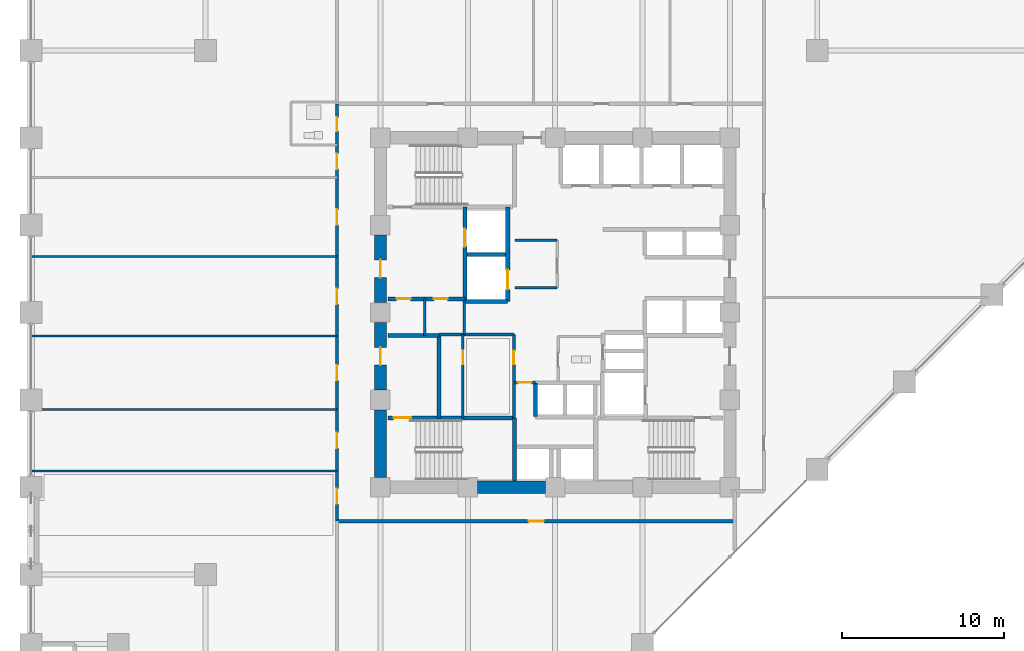
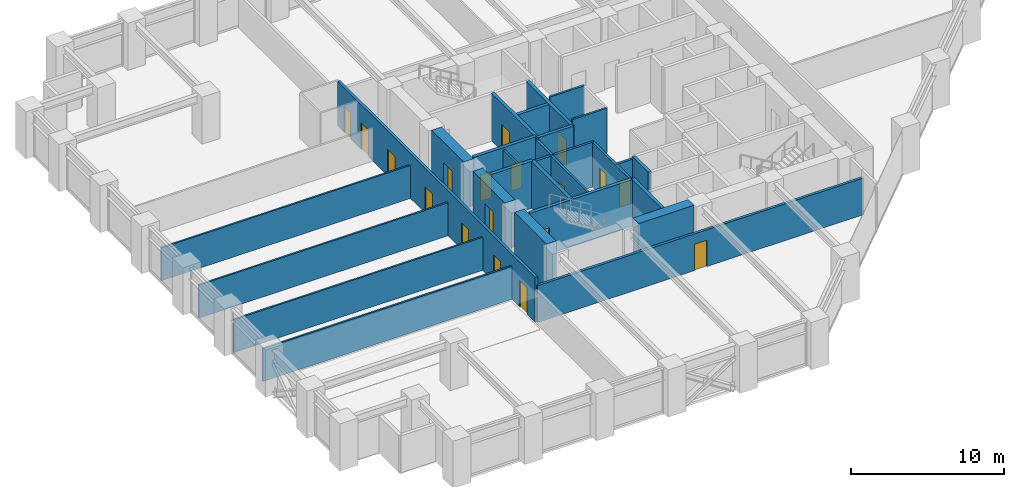
# One storey, part 20 of 25: 28 walls, 18 doors, 18 openings.
"""IFC4 building model written with IfcOpenShell, lengths in metres."""

from ifc_helpers import new_model, si_unit, direction, frame, frame_2d, origin, place, context, subcontext, project, spatial, rectangle, extrude, material, layer, layer_set, type_object, element, fill, save


model = new_model("IFC4")

# Units and contexts
model_context = context("Model", 3, precision=1e-05, world=origin(), true_north=direction((0.0, 1.0)))
body_context = subcontext(model_context, "Body", "Model", "MODEL_VIEW")
ifc_project = project(units=[si_unit("LENGTHUNIT", "METRE"), si_unit("AREAUNIT", "SQUARE_METRE"), si_unit("VOLUMEUNIT", "CUBIC_METRE"), si_unit("PLANEANGLEUNIT", "RADIAN"), si_unit("MASSUNIT", "GRAM", prefix="KILO")], contexts=[model_context])

# Site, building, storey
site_placement = place(None, origin())
site = spatial("IfcSite", under=ifc_project, at=site_placement, CompositionType="ELEMENT")
building_placement = place(site_placement, origin())
building = spatial("IfcBuilding", under=site, at=building_placement, Name="Surkhivell Harbour Commons", CompositionType="ELEMENT")
storey_placement = place(building_placement, frame((0.0, 0.0, 37.5)))
storey = spatial("IfcBuildingStorey", under=building, at=storey_placement, Name="L09", CompositionType="ELEMENT", Elevation=37.5)

# Walls
ifc_material_1 = material(Name="Concrete C60/75", Category="concrete")
ifc_layer_1 = layer(ifc_material_1, 0.75)
ifc_layer_set_1 = layer_set([ifc_layer_1], Name="Concrete C60/75")
wall_type_1 = type_object("IfcWallType", Name="WAL-CORE-750", PredefinedType="SHEAR", material=ifc_layer_set_1)
for number, where, z_axis, x_axis, name in (
    (1, (-10.800048828125, -10.18994140625, 0.0), (0.0, 0.0, 1.0), (0.0, 1.0, 0.0), "L09 Core Shear Wall West 1"),
    (2, (-4.7900390625, -10.800048828125, 0.0), (0.0, 0.0, 1.0), (1.0, 0.0, 0.0), "L09 Core Shear Wall South 2"),
):
    element("IfcWall", number, at=place(storey_placement, frame(where, z_axis=z_axis, x_axis=x_axis)), inside=storey, type_object=wall_type_1, Name=name, PredefinedType="SHEAR", context=body_context, shape_type="SweptSolid", body=[
        extrude(rectangle(XDim=4.179931640625, YDim=0.75, at=frame_2d((2.08984375, 0.0))), origin(), (0.0, 0.0, 1.0), 3.75),
    ])

# Wall, opening, door
wall_1_placement = place(storey_placement, frame((-10.800048828125, -4.7900390625, 0.0), z_axis=(0.0, 0.0, 1.0), x_axis=(0.0, 1.0, 0.0)))
wall_1 = element("IfcWall", 3, at=wall_1_placement, inside=storey, type_object=wall_type_1, Name="L09 Core Shear Wall West 2", PredefinedType="SHEAR", context=body_context, shape_type="SweptSolid", body=[
    extrude(rectangle(XDim=4.179931640625, YDim=0.75, at=frame_2d((2.08984375, 0.0))), origin(), (0.0, 0.0, 1.0), 3.75),
])
opening_1_placement = place(wall_1_placement, frame((1.5400390625, 0.0, 0.0)))
opening_1 = element("IfcOpeningElement", 4, at=opening_1_placement, cuts=wall_1, Name="Opening ID-2", PredefinedType="OPENING", context=body_context, shape_type="SweptSolid", body=[
    extrude(rectangle(XDim=1.10009765625, YDim=2.10009765625, at=frame_2d((0.550048828125, 1.050048828125))), frame((0.0, 0.385009765625, 0.0), z_axis=(0.0, -1.0, 0.0), x_axis=(1.0, 0.0, 0.0)), (0.0, 0.0, 1.0), 0.77001953125),
])
ifc_material_2 = material(Name="Hardwood-veneered fire-rated door leaf", Category="wood")
door_type_1 = type_object("IfcDoorType", Name="DOR-FD60-1100", OperationType="NOTDEFINED", PredefinedType="DOOR", material=ifc_material_2)
door_1_placement = place(opening_1_placement, origin())
door_1 = element("IfcDoor", 5, at=door_1_placement, inside=storey, type_object=door_type_1, Name="L09 Stair 3 Lobby Corridor Door", OperationType="SINGLE_SWING_LEFT", OverallHeight=2.10009765625, OverallWidth=1.10009765625, PredefinedType="DOOR", context=body_context, shape_type="SweptSolid", body=[
    extrude(rectangle(XDim=1.10009765625, YDim=2.10009765625, at=frame_2d((0.550048828125, 1.050048828125))), frame((0.0, 0.02490234375, 0.0), z_axis=(0.0, -1.0, 0.0), x_axis=(1.0, 0.0, 0.0)), (0.0, 0.0, 1.0), 0.050048828125),
])
fill(opening_1, door_1)

wall_2_placement = place(storey_placement, frame((-10.800048828125, 0.610107421875, 0.0), z_axis=(0.0, 0.0, 1.0), x_axis=(0.0, 1.0, 0.0)))
wall_2 = element("IfcWall", 6, at=wall_2_placement, inside=storey, type_object=wall_type_1, Name="L09 Core Shear Wall West 3", PredefinedType="SHEAR", context=body_context, shape_type="SweptSolid", body=[
    extrude(rectangle(XDim=4.179931640625, YDim=0.75, at=frame_2d((2.08984375, 0.0))), origin(), (0.0, 0.0, 1.0), 3.75),
])
opening_2_placement = place(wall_2_placement, frame((1.5400390625, 0.0, 0.0)))
opening_2 = element("IfcOpeningElement", 7, at=opening_2_placement, cuts=wall_2, Name="Opening ID-1", PredefinedType="OPENING", context=body_context, shape_type="SweptSolid", body=[
    extrude(rectangle(XDim=1.10009765625, YDim=2.10009765625, at=frame_2d((0.550048828125, 1.050048828125))), frame((0.0, 0.385009765625, 0.0), z_axis=(0.0, -1.0, 0.0), x_axis=(1.0, 0.0, 0.0)), (0.0, 0.0, 1.0), 0.77001953125),
])
door_type_2 = type_object("IfcDoorType", Name="DOR-FD120-1100", OperationType="NOTDEFINED", PredefinedType="DOOR", material=ifc_material_2)
door_2_placement = place(opening_2_placement, origin())
door_2 = element("IfcDoor", 8, at=door_2_placement, inside=storey, type_object=door_type_2, Name="L09 Firefighting Lobby 1 Corridor Door", OperationType="SINGLE_SWING_LEFT", OverallHeight=2.10009765625, OverallWidth=1.10009765625, PredefinedType="DOOR", context=body_context, shape_type="SweptSolid", body=[
    extrude(rectangle(XDim=1.10009765625, YDim=2.10009765625, at=frame_2d((0.550048828125, 1.050048828125))), frame((0.0, 0.02490234375, 0.0), z_axis=(0.0, -1.0, 0.0), x_axis=(1.0, 0.0, 0.0)), (0.0, 0.0, 1.0), 0.050048828125),
])
fill(opening_2, door_2)

# Walls
ifc_material_3 = material(Name="Moisture-resistant acoustic stud partition", Category="other")
ifc_layer_2 = layer(ifc_material_3, 0.125)
ifc_layer_set_2 = layer_set([ifc_layer_2], Name="Moisture-resistant acoustic stud partition")
wall_type_2 = type_object("IfcWallType", Name="WAL-INT-125", PredefinedType="PARTITIONING", material=ifc_layer_set_2)
for number, where, z_axis, x_axis, name in (
    (9, (-32.340087890625, -5.989990234375, 0.0), (0.0, 0.0, 1.0), (1.0, 0.0, 0.0), "L09 West Partition BDP1"),
    (10, (-32.340087890625, -1.449951171875, 0.0), (0.0, 0.0, 1.0), (1.0, 0.0, 0.0), "L09 West Partition BDP2"),
    (11, (-32.340087890625, 3.449951171875, 0.0), (0.0, 0.0, 1.0), (1.0, 0.0, 0.0), "L09 West Partition BDP3"),
    (12, (-32.340087890625, -9.800048828125, 0.0), (0.0, 0.0, 1.0), (1.0, 0.0, 0.0), "L09 West Partition PBOT"),
):
    element("IfcWall", number, at=place(storey_placement, frame(where, z_axis=z_axis, x_axis=x_axis)), inside=storey, type_object=wall_type_2, Name=name, PredefinedType="PARTITIONING", context=body_context, shape_type="SweptSolid", body=[
        extrude(rectangle(XDim=18.860107421875, YDim=0.125, at=frame_2d((9.43017578125, 0.0))), origin(), (0.0, 0.0, 1.0), 2.62890625),
    ])

# Wall, opening, door
ifc_material_4 = material(Name="Twin-stud acoustic fireboard partition", Category="other")
ifc_layer_3 = layer(ifc_material_4, 0.14990234375)
ifc_layer_set_3 = layer_set([ifc_layer_3], Name="Twin-stud acoustic fireboard partition")
wall_type_3 = type_object("IfcWallType", Name="WAL-INT-150", PredefinedType="PARTITIONING", material=ifc_layer_set_3)
wall_3_placement = place(storey_placement, frame((-5.699951171875, -6.510009765625, 0.0), z_axis=(0.0, 0.0, 1.0), x_axis=(0.0, 1.0, 0.0)))
wall_3 = element("IfcWall", 13, at=wall_3_placement, inside=storey, type_object=wall_type_3, Name="L09 Core Cut B Partition", PredefinedType="PARTITIONING", context=body_context, shape_type="SweptSolid", body=[
    extrude(rectangle(XDim=5.159912109375, YDim=0.14990234375, at=frame_2d((2.580078125, 0.0))), origin(), (0.0, 0.0, 1.0), 3.570068359375),
])
opening_3_placement = place(wall_3_placement, frame((3.300048828125, 0.0, 0.0)))
opening_3 = element("IfcOpeningElement", 14, at=opening_3_placement, cuts=wall_3, Name="Opening ID-6", PredefinedType="OPENING", context=body_context, shape_type="SweptSolid", body=[
    extrude(rectangle(XDim=0.85009765625, YDim=2.10009765625, at=frame_2d((0.425048828125, 1.050048828125))), frame((0.0, 0.0849609375, 0.0), z_axis=(0.0, -1.0, 0.0), x_axis=(1.0, 0.0, 0.0)), (0.0, 0.0, 1.0), 0.169921875),
])
door_type_3 = type_object("IfcDoorType", Name="DOR-FD30-850", OperationType="NOTDEFINED", PredefinedType="DOOR", material=ifc_material_2)
door_3_placement = place(opening_3_placement, origin())
door_3 = element("IfcDoor", 15, at=door_3_placement, inside=storey, type_object=door_type_3, Name="L09 Core Focus Study Door", OperationType="SINGLE_SWING_RIGHT", OverallHeight=2.10009765625, OverallWidth=0.85009765625, PredefinedType="DOOR", context=body_context, shape_type="SweptSolid", body=[
    extrude(rectangle(XDim=0.85009765625, YDim=2.10009765625, at=frame_2d((0.425048828125, 1.050048828125))), frame((0.0, 0.02490234375, 0.0), z_axis=(0.0, -1.0, 0.0), x_axis=(1.0, 0.0, 0.0)), (0.0, 0.0, 1.0), 0.050048828125),
])
fill(opening_3, door_3)

# Walls
wall_4_placement = place(storey_placement, frame((-8.050048828125, -1.419921875, 0.0), z_axis=(0.0, 0.0, 1.0), x_axis=(0.0, 1.0, 0.0)))
element("IfcWall", 16, at=wall_4_placement, inside=storey, type_object=wall_type_3, Name="L09 West Seminar Booth Divider", PredefinedType="PARTITIONING", context=body_context, shape_type="SweptSolid", body=[
    extrude(rectangle(XDim=2.27001953125, YDim=0.14990234375, at=frame_2d((1.135009765625, 0.0))), origin(), (0.0, 0.0, 1.0), 3.570068359375),
])
for number, where, z_axis, x_axis, name in (
    (17, (-2.47998046875, 4.47998046875, 0.0), (0.0, 0.0, 1.0), (1.0, 0.0, 0.0), "L09 Central Reading North Wall"),
    (18, (-2.47998046875, 1.52001953125, 0.0), (0.0, 0.0, 1.0), (1.0, 0.0, 0.0), "L09 Central Reading South Wall"),
):
    element("IfcWall", number, at=place(storey_placement, frame(where, z_axis=z_axis, x_axis=x_axis)), inside=storey, type_object=wall_type_3, Name=name, PredefinedType="PARTITIONING", context=body_context, shape_type="SweptSolid", body=[
        extrude(rectangle(XDim=2.60009765625, YDim=0.14990234375, at=frame_2d((1.300048828125, 0.0))), origin(), (0.0, 0.0, 1.0), 3.570068359375),
    ])

# Wall, opening, door
ifc_material_5 = material(Name="High-density acoustic blockwork fire partition", Category="masonry")
ifc_layer_4 = layer(ifc_material_5, 0.175048828125)
ifc_layer_set_4 = layer_set([ifc_layer_4], Name="High-density acoustic blockwork fire partition")
wall_type_4 = type_object("IfcWallType", Name="WAL-INT-175", PredefinedType="PARTITIONING", material=ifc_layer_set_4)
wall_5_placement = place(storey_placement, frame((-2.550048828125, -6.510009765625, 0.0), z_axis=(0.0, 0.0, 1.0), x_axis=(0.0, 1.0, 0.0)))
wall_5 = element("IfcWall", 19, at=wall_5_placement, inside=storey, type_object=wall_type_4, Name="L09 Core Service Bay East Wall", PredefinedType="PARTITIONING", context=body_context, shape_type="SweptSolid", body=[
    extrude(rectangle(XDim=5.159912109375, YDim=0.175048828125, at=frame_2d((2.580078125, 0.0))), origin(), (0.0, 0.0, 1.0), 3.570068359375),
])
opening_4_placement = place(wall_5_placement, frame((3.300048828125, 0.0, 0.0)))
opening_4 = element("IfcOpeningElement", 20, at=opening_4_placement, cuts=wall_5, Name="Opening ID-6", PredefinedType="OPENING", context=body_context, shape_type="SweptSolid", body=[
    extrude(rectangle(XDim=0.85009765625, YDim=2.10009765625, at=frame_2d((0.425048828125, 1.050048828125))), frame((0.0, 0.097412109375, 0.0), z_axis=(0.0, -1.0, 0.0), x_axis=(1.0, 0.0, 0.0)), (0.0, 0.0, 1.0), 0.195068359375),
])
door_4_placement = place(opening_4_placement, origin())
door_4 = element("IfcDoor", 21, at=door_4_placement, inside=storey, type_object=door_type_3, Name="L09 Core Music Door", OperationType="SINGLE_SWING_LEFT", OverallHeight=2.10009765625, OverallWidth=0.85009765625, PredefinedType="DOOR", context=body_context, shape_type="SweptSolid", body=[
    extrude(rectangle(XDim=0.85009765625, YDim=2.10009765625, at=frame_2d((0.425048828125, 1.050048828125))), frame((0.0, 0.02490234375, 0.0), z_axis=(0.0, -1.0, 0.0), x_axis=(1.0, 0.0, 0.0)), (0.0, 0.0, 1.0), 0.050048828125),
])
fill(opening_4, door_4)

# Walls
wall_6_placement = place(storey_placement, frame((-7.179931640625, -1.35009765625, 0.0), z_axis=(0.0, 0.0, 1.0), x_axis=(1.0, 0.0, 0.0)))
element("IfcWall", 22, at=wall_6_placement, inside=storey, type_object=wall_type_4, Name="L09 Core Service Bay North Wall", PredefinedType="PARTITIONING", context=body_context, shape_type="SweptSolid", body=[
    extrude(rectangle(XDim=4.6298828125, YDim=0.175048828125, at=frame_2d((2.31494140625, 0.0))), origin(), (0.0, 0.0, 1.0), 3.570068359375),
])
wall_7_placement = place(storey_placement, frame((-5.6201171875, -1.35009765625, 0.0), z_axis=(0.0, 0.0, 1.0), x_axis=(0.0, 1.0, 0.0)))
element("IfcWall", 23, at=wall_7_placement, inside=storey, type_object=wall_type_4, Name="L09 West Core Bay East Wall", PredefinedType="PARTITIONING", context=body_context, shape_type="SweptSolid", body=[
    extrude(rectangle(XDim=2.070068359375, YDim=0.175048828125, at=frame_2d((1.03515625, 0.0))), origin(), (0.0, 0.0, 1.0), 3.570068359375),
])

# Wall, opening, door
wall_8_placement = place(storey_placement, frame((-2.52001953125, -4.320068359375, 0.0), z_axis=(0.0, 0.0, 1.0), x_axis=(1.0, 0.0, 0.0)))
wall_8 = element("IfcWall", 24, at=wall_8_placement, inside=storey, type_object=wall_type_4, Name="L09 High-Rise Lobby North Portal Wall", PredefinedType="PARTITIONING", context=body_context, shape_type="SweptSolid", body=[
    extrude(rectangle(XDim=1.300048828125, YDim=0.175048828125, at=frame_2d((0.64990234375, 0.0))), origin(), (0.0, 0.0, 1.0), 3.570068359375),
])
opening_5_placement = place(wall_8_placement, frame((0.219970703125, 0.0, 0.0)))
opening_5 = element("IfcOpeningElement", 25, at=opening_5_placement, cuts=wall_8, Name="Opening ID-6", PredefinedType="OPENING", context=body_context, shape_type="SweptSolid", body=[
    extrude(rectangle(XDim=0.85009765625, YDim=2.10009765625, at=frame_2d((0.425048828125, 1.050048828125))), frame((0.0, 0.097412109375, 0.0), z_axis=(0.0, -1.0, 0.0), x_axis=(1.0, 0.0, 0.0)), (0.0, 0.0, 1.0), 0.195068359375),
])
door_5_placement = place(opening_5_placement, origin())
door_5 = element("IfcDoor", 26, at=door_5_placement, inside=storey, type_object=door_type_3, Name="L09 High-Rise Lift Lobby North Door", OperationType="SINGLE_SWING_LEFT", OverallHeight=2.10009765625, OverallWidth=0.85009765625, PredefinedType="DOOR", context=body_context, shape_type="SweptSolid", body=[
    extrude(rectangle(XDim=0.85009765625, YDim=2.10009765625, at=frame_2d((0.425048828125, 1.050048828125))), frame((0.0, 0.02490234375, 0.0), z_axis=(0.0, -1.0, 0.0), x_axis=(1.0, 0.0, 0.0)), (0.0, 0.0, 1.0), 0.050048828125),
])
fill(opening_5, door_5)

ifc_material_6 = material(Name="Autoclaved aerated concrete blockwork and fire plaster", Category="masonry")
ifc_layer_5 = layer(ifc_material_6, 0.199951171875)
ifc_layer_set_5 = layer_set([ifc_layer_5], Name="Autoclaved aerated concrete blockwork and fire plaster")
wall_type_5 = type_object("IfcWallType", Name="WAL-INT-200", PredefinedType="PARTITIONING", material=ifc_layer_set_5)
wall_9_placement = place(storey_placement, frame((-13.47998046875, -12.89990234375, 0.0), z_axis=(0.0, 0.0, 1.0), x_axis=(1.0, 0.0, 0.0)))
wall_9 = element("IfcWall", 27, at=wall_9_placement, inside=storey, type_object=wall_type_5, Name="L09 Corridor South Wall", PredefinedType="PARTITIONING", context=body_context, shape_type="SweptSolid", body=[
    extrude(rectangle(XDim=24.580078125, YDim=0.199951171875, at=frame_2d((12.2900390625, 0.0))), origin(), (0.0, 0.0, 1.0), 2.929931640625),
])
opening_6_placement = place(wall_9_placement, frame((11.840087890625, 0.0, 0.0)))
opening_6 = element("IfcOpeningElement", 28, at=opening_6_placement, cuts=wall_9, Name="Opening ID-4", PredefinedType="OPENING", context=body_context, shape_type="SweptSolid", body=[
    extrude(rectangle(XDim=0.949951171875, YDim=2.10009765625, at=frame_2d((0.47509765625, 1.050048828125))), frame((0.0, 0.10986328125, 0.0), z_axis=(0.0, -1.0, 0.0), x_axis=(1.0, 0.0, 0.0)), (0.0, 0.0, 1.0), 0.219970703125),
])
door_type_4 = type_object("IfcDoorType", Name="DOR-FD60-950", OperationType="NOTDEFINED", PredefinedType="DOOR", material=ifc_material_2)
door_6_placement = place(opening_6_placement, origin())
door_6 = element("IfcDoor", 29, at=door_6_placement, inside=storey, type_object=door_type_4, Name="L09 Open Academic Study Commons Reading Library South Door", OperationType="SINGLE_SWING_LEFT", OverallHeight=2.10009765625, OverallWidth=0.949951171875, PredefinedType="DOOR", context=body_context, shape_type="SweptSolid", body=[
    extrude(rectangle(XDim=0.949951171875, YDim=2.10009765625, at=frame_2d((0.47509765625, 1.050048828125))), frame((0.0, 0.02490234375, 0.0), z_axis=(0.0, -1.0, 0.0), x_axis=(1.0, 0.0, 0.0)), (0.0, 0.0, 1.0), 0.050048828125),
])
fill(opening_6, door_6)

# Wall, openings, doors
wall_10_placement = place(storey_placement, frame((-13.47998046875, -12.89990234375, 0.0), z_axis=(0.0, 0.0, 1.0), x_axis=(0.0, 1.0, 0.0)))
wall_10 = element("IfcWall", 30, at=wall_10_placement, inside=storey, type_object=wall_type_5, Name="L09 Corridor West Wall", PredefinedType="PARTITIONING", context=body_context, shape_type="SweptSolid", body=[
    extrude(rectangle(XDim=25.7998046875, YDim=0.199951171875, at=frame_2d((12.89990234375, 0.0))), origin(), (0.0, 0.0, 1.0), 3.570068359375),
])
opening_7_placement = place(wall_10_placement, frame((1.070068359375, 0.0, 0.0)))
opening_7 = element("IfcOpeningElement", 31, at=opening_7_placement, cuts=wall_10, Name="Opening ID-4", PredefinedType="OPENING", context=body_context, shape_type="SweptSolid", body=[
    extrude(rectangle(XDim=0.949951171875, YDim=2.10009765625, at=frame_2d((0.47509765625, 1.050048828125))), frame((0.0, 0.10986328125, 0.0), z_axis=(0.0, -1.0, 0.0), x_axis=(1.0, 0.0, 0.0)), (0.0, 0.0, 1.0), 0.219970703125),
])
opening_8_placement = place(wall_10_placement, frame((24.10498046875, 0.0, 0.0)))
opening_8 = element("IfcOpeningElement", 32, at=opening_8_placement, cuts=wall_10, Name="Opening ID-6", PredefinedType="OPENING", context=body_context, shape_type="SweptSolid", body=[
    extrude(rectangle(XDim=0.85009765625, YDim=2.10009765625, at=frame_2d((0.425048828125, 1.050048828125))), frame((0.0, 0.10986328125, 0.0), z_axis=(0.0, -1.0, 0.0), x_axis=(1.0, 0.0, 0.0)), (0.0, 0.0, 1.0), 0.219970703125),
])
opening_9_placement = place(wall_10_placement, frame((21.77001953125, 0.0, 0.0)))
opening_9 = element("IfcOpeningElement", 33, at=opening_9_placement, cuts=wall_10, Name="Opening ID-4", PredefinedType="OPENING", context=body_context, shape_type="SweptSolid", body=[
    extrude(rectangle(XDim=0.949951171875, YDim=2.10009765625, at=frame_2d((0.47509765625, 1.050048828125))), frame((0.0, 0.10986328125, 0.0), z_axis=(0.0, -1.0, 0.0), x_axis=(1.0, 0.0, 0.0)), (0.0, 0.0, 1.0), 0.219970703125),
])
opening_10_placement = place(wall_10_placement, frame((4.52490234375, 0.0, 0.0)))
opening_10 = element("IfcOpeningElement", 34, at=opening_10_placement, cuts=wall_10, Name="Opening ID-4", PredefinedType="OPENING", context=body_context, shape_type="SweptSolid", body=[
    extrude(rectangle(XDim=0.949951171875, YDim=2.10009765625, at=frame_2d((0.47509765625, 1.050048828125))), frame((0.0, 0.10986328125, 0.0), z_axis=(0.0, -1.0, 0.0), x_axis=(1.0, 0.0, 0.0)), (0.0, 0.0, 1.0), 0.219970703125),
])
opening_11_placement = place(wall_10_placement, frame((8.699951171875, 0.0, 0.0)))
opening_11 = element("IfcOpeningElement", 35, at=opening_11_placement, cuts=wall_10, Name="Opening ID-4", PredefinedType="OPENING", context=body_context, shape_type="SweptSolid", body=[
    extrude(rectangle(XDim=0.949951171875, YDim=2.10009765625, at=frame_2d((0.47509765625, 1.050048828125))), frame((0.0, 0.10986328125, 0.0), z_axis=(0.0, -1.0, 0.0), x_axis=(1.0, 0.0, 0.0)), (0.0, 0.0, 1.0), 0.219970703125),
])
opening_12_placement = place(wall_10_placement, frame((13.419921875, 0.0, 0.0)))
opening_12 = element("IfcOpeningElement", 36, at=opening_12_placement, cuts=wall_10, Name="Opening ID-4", PredefinedType="OPENING", context=body_context, shape_type="SweptSolid", body=[
    extrude(rectangle(XDim=0.949951171875, YDim=2.10009765625, at=frame_2d((0.47509765625, 1.050048828125))), frame((0.0, 0.10986328125, 0.0), z_axis=(0.0, -1.0, 0.0), x_axis=(1.0, 0.0, 0.0)), (0.0, 0.0, 1.0), 0.219970703125),
])
opening_13_placement = place(wall_10_placement, frame((18.320068359375, 0.0, 0.0)))
opening_13 = element("IfcOpeningElement", 37, at=opening_13_placement, cuts=wall_10, Name="Opening ID-4", PredefinedType="OPENING", context=body_context, shape_type="SweptSolid", body=[
    extrude(rectangle(XDim=0.949951171875, YDim=2.10009765625, at=frame_2d((0.47509765625, 1.050048828125))), frame((0.0, 0.10986328125, 0.0), z_axis=(0.0, -1.0, 0.0), x_axis=(1.0, 0.0, 0.0)), (0.0, 0.0, 1.0), 0.219970703125),
])
door_7_placement = place(opening_8_placement, origin())
door_7 = element("IfcDoor", 38, at=door_7_placement, inside=storey, type_object=door_type_3, Name="L09 Communal Shower Bathroom West Door", OperationType="SINGLE_SWING_RIGHT", OverallHeight=2.10009765625, OverallWidth=0.85009765625, PredefinedType="DOOR", context=body_context, shape_type="SweptSolid", body=[
    extrude(rectangle(XDim=0.85009765625, YDim=2.10009765625, at=frame_2d((0.425048828125, 1.050048828125))), frame((0.0, 0.02490234375, 0.0), z_axis=(0.0, -1.0, 0.0), x_axis=(1.0, 0.0, 0.0)), (0.0, 0.0, 1.0), 0.050048828125),
])
fill(opening_8, door_7)
door_8_placement = place(opening_7_placement, origin())
door_8 = element("IfcDoor", 39, at=door_8_placement, inside=storey, type_object=door_type_4, Name="L09 Shared Communal Kitchen West Door", OperationType="SINGLE_SWING_LEFT", OverallHeight=2.10009765625, OverallWidth=0.949951171875, PredefinedType="DOOR", context=body_context, shape_type="SweptSolid", body=[
    extrude(rectangle(XDim=0.949951171875, YDim=2.10009765625, at=frame_2d((0.47509765625, 1.050048828125))), frame((0.0, 0.02490234375, 0.0), z_axis=(0.0, -1.0, 0.0), x_axis=(1.0, 0.0, 0.0)), (0.0, 0.0, 1.0), 0.050048828125),
])
fill(opening_7, door_8)
door_9_placement = place(opening_9_placement, origin())
door_9 = element("IfcDoor", 40, at=door_9_placement, inside=storey, type_object=door_type_4, Name="L09 Academic Reading Commons West Door", OperationType="SINGLE_SWING_LEFT", OverallHeight=2.10009765625, OverallWidth=0.949951171875, PredefinedType="DOOR", context=body_context, shape_type="SweptSolid", body=[
    extrude(rectangle(XDim=0.949951171875, YDim=2.10009765625, at=frame_2d((0.47509765625, 1.050048828125))), frame((0.0, 0.02490234375, 0.0), z_axis=(0.0, -1.0, 0.0), x_axis=(1.0, 0.0, 0.0)), (0.0, 0.0, 1.0), 0.050048828125),
])
fill(opening_9, door_9)
door_10_placement = place(opening_10_placement, origin())
door_10 = element("IfcDoor", 41, at=door_10_placement, inside=storey, type_object=door_type_4, Name="L09 Hostel Cluster Bedroom 1 West Door", OperationType="SINGLE_SWING_RIGHT", OverallHeight=2.10009765625, OverallWidth=0.949951171875, PredefinedType="DOOR", context=body_context, shape_type="SweptSolid", body=[
    extrude(rectangle(XDim=0.949951171875, YDim=2.10009765625, at=frame_2d((0.47509765625, 1.050048828125))), frame((0.0, 0.02490234375, 0.0), z_axis=(0.0, -1.0, 0.0), x_axis=(1.0, 0.0, 0.0)), (0.0, 0.0, 1.0), 0.050048828125),
])
fill(opening_10, door_10)
door_11_placement = place(opening_11_placement, origin())
door_11 = element("IfcDoor", 42, at=door_11_placement, inside=storey, type_object=door_type_4, Name="L09 Co-Living Dormitory Bedroom 2 West Door", OperationType="SINGLE_SWING_LEFT", OverallHeight=2.10009765625, OverallWidth=0.949951171875, PredefinedType="DOOR", context=body_context, shape_type="SweptSolid", body=[
    extrude(rectangle(XDim=0.949951171875, YDim=2.10009765625, at=frame_2d((0.47509765625, 1.050048828125))), frame((0.0, 0.02490234375, 0.0), z_axis=(0.0, -1.0, 0.0), x_axis=(1.0, 0.0, 0.0)), (0.0, 0.0, 1.0), 0.050048828125),
])
fill(opening_11, door_11)
door_12_placement = place(opening_12_placement, origin())
door_12 = element("IfcDoor", 43, at=door_12_placement, inside=storey, type_object=door_type_4, Name="L09 Hostel Cluster Bedroom 3 West Door", OperationType="SINGLE_SWING_RIGHT", OverallHeight=2.10009765625, OverallWidth=0.949951171875, PredefinedType="DOOR", context=body_context, shape_type="SweptSolid", body=[
    extrude(rectangle(XDim=0.949951171875, YDim=2.10009765625, at=frame_2d((0.47509765625, 1.050048828125))), frame((0.0, 0.02490234375, 0.0), z_axis=(0.0, -1.0, 0.0), x_axis=(1.0, 0.0, 0.0)), (0.0, 0.0, 1.0), 0.050048828125),
])
fill(opening_12, door_12)
door_13_placement = place(opening_13_placement, origin())
door_13 = element("IfcDoor", 44, at=door_13_placement, inside=storey, type_object=door_type_4, Name="L09 Co-Living Dormitory Bedroom 4 West Door", OperationType="SINGLE_SWING_LEFT", OverallHeight=2.10009765625, OverallWidth=0.949951171875, PredefinedType="DOOR", context=body_context, shape_type="SweptSolid", body=[
    extrude(rectangle(XDim=0.949951171875, YDim=2.10009765625, at=frame_2d((0.47509765625, 1.050048828125))), frame((0.0, 0.02490234375, 0.0), z_axis=(0.0, -1.0, 0.0), x_axis=(1.0, 0.0, 0.0)), (0.0, 0.0, 1.0), 0.050048828125),
])
fill(opening_13, door_13)

# Wall, opening, door
ifc_material_7 = material(Name="Concrete C50/60", Category="concrete")
ifc_layer_6 = layer(ifc_material_7, 0.25)
ifc_layer_set_6 = layer_set([ifc_layer_6], Name="Concrete C50/60")
wall_type_6 = type_object("IfcWallType", Name="WAL-SHAFT-250", PredefinedType="SHEAR", material=ifc_layer_set_6)
wall_11_placement = place(storey_placement, frame((-5.580078125, 0.719970703125, 0.0), z_axis=(0.0, 0.0, 1.0), x_axis=(0.0, 1.0, 0.0)))
wall_11 = element("IfcWall", 45, at=wall_11_placement, inside=storey, type_object=wall_type_6, Name="L09 Firefighting Lobby 1 East Shaft Wall", PredefinedType="SHEAR", context=body_context, shape_type="SweptSolid", body=[
    extrude(rectangle(XDim=5.7900390625, YDim=0.25, at=frame_2d((2.89501953125, 0.0))), origin(), (0.0, 0.0, 1.0), 3.75),
])
opening_14_placement = place(wall_11_placement, frame((3.35009765625, 0.0, 0.0)))
opening_14 = element("IfcOpeningElement", 46, at=opening_14_placement, cuts=wall_11, Name="Opening LD-1", PredefinedType="OPENING", context=body_context, shape_type="SweptSolid", body=[
    extrude(rectangle(XDim=1.10009765625, YDim=2.10009765625, at=frame_2d((0.550048828125, 1.050048828125))), frame((0.0, 0.135009765625, 0.0), z_axis=(0.0, -1.0, 0.0), x_axis=(1.0, 0.0, 0.0)), (0.0, 0.0, 1.0), 0.27001953125),
])
ifc_material_8 = material(Name="Brushed stainless steel S355", Category="steel")
door_type_5 = type_object("IfcDoorType", Name="DOR-LD-1100", OperationType="SLIDING_TO_LEFT", PredefinedType="DOOR", material=ifc_material_8)
door_14_placement = place(opening_14_placement, origin())
door_14 = element("IfcDoor", 47, at=door_14_placement, inside=storey, type_object=door_type_5, Name="L09 Lift Landing Door LD-FFL1", OperationType="SLIDING_TO_LEFT", OverallHeight=2.10009765625, OverallWidth=1.10009765625, PredefinedType="DOOR", context=body_context, shape_type="SweptSolid", body=[
    extrude(rectangle(XDim=1.10009765625, YDim=2.10009765625, at=frame_2d((0.550048828125, 1.050048828125))), frame((0.0, 0.02490234375, 0.0), z_axis=(0.0, -1.0, 0.0), x_axis=(1.0, 0.0, 0.0)), (0.0, 0.0, 1.0), 0.050048828125),
])
fill(opening_14, door_14)

# Wall, openings, doors
wall_12_placement = place(storey_placement, frame((-10.340087890625, 0.85009765625, 0.0), z_axis=(0.0, 0.0, 1.0), x_axis=(1.0, 0.0, 0.0)))
wall_12 = element("IfcWall", 48, at=wall_12_placement, inside=storey, type_object=wall_type_6, Name="L09 Firefighting Lobby 1 South Wall", PredefinedType="SHEAR", context=body_context, shape_type="SweptSolid", body=[
    extrude(rectangle(XDim=4.760009765625, YDim=0.25, at=frame_2d((2.3798828125, 0.0))), origin(), (0.0, 0.0, 1.0), 3.75),
])
opening_15_placement = place(wall_12_placement, frame((0.550048828125, 0.0, 0.0)))
opening_15 = element("IfcOpeningElement", 49, at=opening_15_placement, cuts=wall_12, Name="Opening ID-6", PredefinedType="OPENING", context=body_context, shape_type="SweptSolid", body=[
    extrude(rectangle(XDim=0.85009765625, YDim=2.10009765625, at=frame_2d((0.425048828125, 1.050048828125))), frame((0.0, 0.135009765625, 0.0), z_axis=(0.0, -1.0, 0.0), x_axis=(1.0, 0.0, 0.0)), (0.0, 0.0, 1.0), 0.27001953125),
])
opening_16_placement = place(wall_12_placement, frame((2.85009765625, 0.0, 0.0)))
opening_16 = element("IfcOpeningElement", 50, at=opening_16_placement, cuts=wall_12, Name="Opening ID-6", PredefinedType="OPENING", context=body_context, shape_type="SweptSolid", body=[
    extrude(rectangle(XDim=0.85009765625, YDim=2.10009765625, at=frame_2d((0.425048828125, 1.050048828125))), frame((0.0, 0.135009765625, 0.0), z_axis=(0.0, -1.0, 0.0), x_axis=(1.0, 0.0, 0.0)), (0.0, 0.0, 1.0), 0.27001953125),
])
door_15_placement = place(opening_15_placement, origin())
door_15 = element("IfcDoor", 51, at=door_15_placement, inside=storey, type_object=door_type_3, Name="L09 West Seminar 1 Door", OperationType="SINGLE_SWING_LEFT", OverallHeight=2.10009765625, OverallWidth=0.85009765625, PredefinedType="DOOR", context=body_context, shape_type="SweptSolid", body=[
    extrude(rectangle(XDim=0.85009765625, YDim=2.10009765625, at=frame_2d((0.425048828125, 1.050048828125))), frame((0.0, 0.02490234375, 0.0), z_axis=(0.0, -1.0, 0.0), x_axis=(1.0, 0.0, 0.0)), (0.0, 0.0, 1.0), 0.050048828125),
])
fill(opening_15, door_15)
door_16_placement = place(opening_16_placement, origin())
door_16 = element("IfcDoor", 52, at=door_16_placement, inside=storey, type_object=door_type_3, Name="L09 West Seminar 2 Door", OperationType="SINGLE_SWING_RIGHT", OverallHeight=2.10009765625, OverallWidth=0.85009765625, PredefinedType="DOOR", context=body_context, shape_type="SweptSolid", body=[
    extrude(rectangle(XDim=0.85009765625, YDim=2.10009765625, at=frame_2d((0.425048828125, 1.050048828125))), frame((0.0, 0.02490234375, 0.0), z_axis=(0.0, -1.0, 0.0), x_axis=(1.0, 0.0, 0.0)), (0.0, 0.0, 1.0), 0.050048828125),
])
fill(opening_16, door_16)

# Walls
wall_13_placement = place(storey_placement, frame((-1.219970703125, -6.43994140625, 0.0), z_axis=(0.0, 0.0, 1.0), x_axis=(0.0, 1.0, 0.0)))
element("IfcWall", 53, at=wall_13_placement, inside=storey, type_object=wall_type_6, Name="L09 High-Rise Passage East Shaft Wall", PredefinedType="SHEAR", context=body_context, shape_type="SweptSolid", body=[
    extrude(rectangle(XDim=2.079833984375, YDim=0.25, at=frame_2d((1.0400390625, 0.0))), origin(), (0.0, 0.0, 1.0), 3.75),
])
wall_14_placement = place(storey_placement, frame((-2.510009765625, -10.425048828125, 0.0), z_axis=(0.0, 0.0, 1.0), x_axis=(0.0, 1.0, 0.0)))
element("IfcWall", 54, at=wall_14_placement, inside=storey, type_object=wall_type_6, Name="L09 Stair ST3 East Shear Wall", PredefinedType="SHEAR", context=body_context, shape_type="SweptSolid", body=[
    extrude(rectangle(XDim=3.9150390625, YDim=0.25, at=frame_2d((1.95751953125, 0.0))), origin(), (0.0, 0.0, 1.0), 3.75),
])
wall_15_placement = place(storey_placement, frame((-7.179931640625, -6.510009765625, 0.0), z_axis=(0.0, 0.0, 1.0), x_axis=(0.0, 1.0, 0.0)))
element("IfcWall", 55, at=wall_15_placement, inside=storey, type_object=wall_type_6, Name="L09 Stair 3 Lobby East Wall", PredefinedType="SHEAR", context=body_context, shape_type="SweptSolid", body=[
    extrude(rectangle(XDim=5.090087890625, YDim=0.25, at=frame_2d((2.544921875, 0.0))), origin(), (0.0, 0.0, 1.0), 3.75),
])
wall_16_placement = place(storey_placement, frame((-10.340087890625, -1.419921875, 0.0), z_axis=(0.0, 0.0, 1.0), x_axis=(1.0, 0.0, 0.0)))
element("IfcWall", 56, at=wall_16_placement, inside=storey, type_object=wall_type_6, Name="L09 Stair 3 Lobby North Wall", PredefinedType="SHEAR", context=body_context, shape_type="SweptSolid", body=[
    extrude(rectangle(XDim=3.16015625, YDim=0.25, at=frame_2d((1.580078125, 0.0))), origin(), (0.0, 0.0, 1.0), 3.75),
])

# Wall, opening, door
wall_17_placement = place(storey_placement, frame((-10.340087890625, -6.510009765625, 0.0), z_axis=(0.0, 0.0, 1.0), x_axis=(1.0, 0.0, 0.0)))
wall_17 = element("IfcWall", 57, at=wall_17_placement, inside=storey, type_object=wall_type_6, Name="L09 Stair ST3 North Shear Wall", PredefinedType="SHEAR", context=body_context, shape_type="SweptSolid", body=[
    extrude(rectangle(XDim=7.7001953125, YDim=0.25, at=frame_2d((3.85009765625, 0.0))), origin(), (0.0, 0.0, 1.0), 3.75),
])
opening_17_placement = place(wall_17_placement, frame((0.35009765625, 0.0, 0.0)))
opening_17 = element("IfcOpeningElement", 58, at=opening_17_placement, cuts=wall_17, Name="Opening ID-2", PredefinedType="OPENING", context=body_context, shape_type="SweptSolid", body=[
    extrude(rectangle(XDim=1.10009765625, YDim=2.10009765625, at=frame_2d((0.550048828125, 1.050048828125))), frame((0.0, 0.135009765625, 0.0), z_axis=(0.0, -1.0, 0.0), x_axis=(1.0, 0.0, 0.0)), (0.0, 0.0, 1.0), 0.27001953125),
])
door_17_placement = place(opening_17_placement, origin())
door_17 = element("IfcDoor", 59, at=door_17_placement, inside=storey, type_object=door_type_1, Name="L09 Stair ST3 Exit Door", OperationType="SINGLE_SWING_RIGHT", OverallHeight=2.10009765625, OverallWidth=1.10009765625, PredefinedType="DOOR", context=body_context, shape_type="SweptSolid", body=[
    extrude(rectangle(XDim=1.10009765625, YDim=2.10009765625, at=frame_2d((0.550048828125, 1.050048828125))), frame((0.0, 0.02490234375, 0.0), z_axis=(0.0, -1.0, 0.0), x_axis=(1.0, 0.0, 0.0)), (0.0, 0.0, 1.0), 0.050048828125),
])
fill(opening_17, door_17)

wall_18_placement = place(storey_placement, frame((-2.929931640625, 0.679931640625, 0.0), z_axis=(0.0, 0.0, 1.0), x_axis=(0.0, 1.0, 0.0)))
wall_18 = element("IfcWall", 60, at=wall_18_placement, inside=storey, type_object=wall_type_6, Name="L09 Service and Fire Lift East Shaft Wall", PredefinedType="SHEAR", context=body_context, shape_type="SweptSolid", body=[
    extrude(rectangle(XDim=5.830078125, YDim=0.25, at=frame_2d((2.9150390625, 0.0))), origin(), (0.0, 0.0, 1.0), 3.75),
])
opening_18_placement = place(wall_18_placement, frame((0.75, 0.0, 0.0)))
opening_18 = element("IfcOpeningElement", 61, at=opening_18_placement, cuts=wall_18, Name="Opening LD-2", PredefinedType="OPENING", context=body_context, shape_type="SweptSolid", body=[
    extrude(rectangle(XDim=1.199951171875, YDim=2.10009765625, at=frame_2d((0.60009765625, 1.050048828125))), frame((0.0, 0.135009765625, 0.0), z_axis=(0.0, -1.0, 0.0), x_axis=(1.0, 0.0, 0.0)), (0.0, 0.0, 1.0), 0.27001953125),
])
door_type_6 = type_object("IfcDoorType", Name="DOR-LD-1200", OperationType="SLIDING_TO_LEFT", PredefinedType="DOOR", material=ifc_material_8)
door_18_placement = place(opening_18_placement, origin())
door_18 = element("IfcDoor", 62, at=door_18_placement, inside=storey, type_object=door_type_6, Name="L09 Lift Landing Door LD-SVL1", OperationType="SLIDING_TO_LEFT", OverallHeight=2.10009765625, OverallWidth=1.199951171875, PredefinedType="DOOR", context=body_context, shape_type="SweptSolid", body=[
    extrude(rectangle(XDim=1.199951171875, YDim=2.10009765625, at=frame_2d((0.60009765625, 1.050048828125))), frame((0.0, 0.02490234375, 0.0), z_axis=(0.0, -1.0, 0.0), x_axis=(1.0, 0.0, 0.0)), (0.0, 0.0, 1.0), 0.050048828125),
])
fill(opening_18, door_18)

# Walls
wall_19_placement = place(storey_placement, frame((-5.449951171875, 3.60009765625, 0.0), z_axis=(0.0, 0.0, 1.0), x_axis=(1.0, 0.0, 0.0)))
element("IfcWall", 63, at=wall_19_placement, inside=storey, type_object=wall_type_6, Name="L09 FFL1/SVL1 Shaft Divider", PredefinedType="SHEAR", context=body_context, shape_type="SweptSolid", body=[
    extrude(rectangle(XDim=2.389892578125, YDim=0.25, at=frame_2d((1.19482421875, 0.0))), origin(), (0.0, 0.0, 1.0), 3.75),
])
wall_20_placement = place(storey_placement, frame((-5.580078125, 0.679931640625, 0.0), z_axis=(0.0, 0.0, 1.0), x_axis=(1.0, 0.0, 0.0)))
element("IfcWall", 64, at=wall_20_placement, inside=storey, type_object=wall_type_6, Name="L09 SVL1 South Shaft Wall", PredefinedType="SHEAR", context=body_context, shape_type="SweptSolid", body=[
    extrude(rectangle(XDim=2.650146484375, YDim=0.25, at=frame_2d((1.3251953125, 0.0))), origin(), (0.0, 0.0, 1.0), 3.75),
])

save(model, "model.ifc")
